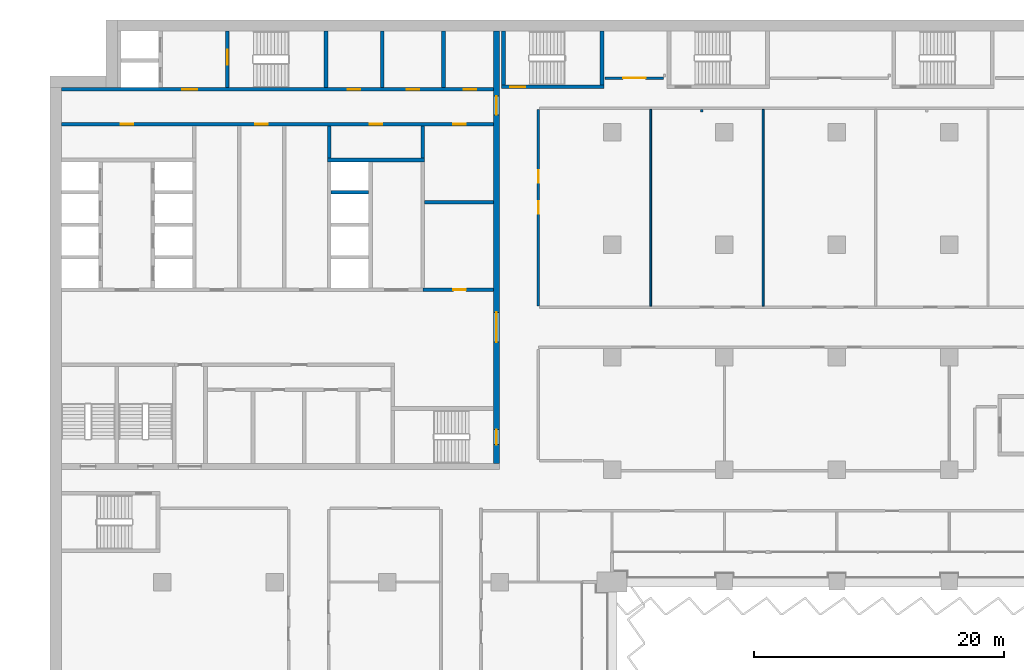
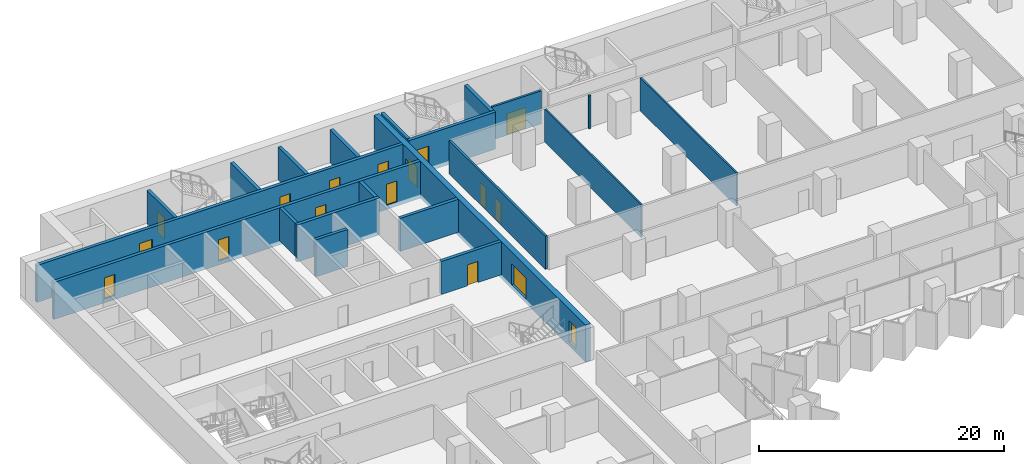
# One storey, part 15 of 29: 21 walls, 17 doors, 17 openings.
"""IFC4 building model written with IfcOpenShell, lengths in metres."""

from ifc_helpers import new_model, si_unit, direction, frame, frame_2d, origin, place, context, subcontext, project, spatial, rectangle, extrude, material, layer, layer_set, type_object, element, fill, save


model = new_model("IFC4")

# Units and contexts
model_context = context("Model", 3, precision=1e-05, world=origin(), true_north=direction((0.0, 1.0)))
body_context = subcontext(model_context, "Body", "Model", "MODEL_VIEW")
ifc_project = project(units=[si_unit("LENGTHUNIT", "METRE"), si_unit("AREAUNIT", "SQUARE_METRE"), si_unit("VOLUMEUNIT", "CUBIC_METRE"), si_unit("PLANEANGLEUNIT", "RADIAN"), si_unit("MASSUNIT", "GRAM", prefix="KILO")], contexts=[model_context])

# Site, building, storey
site_placement = place(None, origin())
site = spatial("IfcSite", under=ifc_project, at=site_placement, CompositionType="ELEMENT")
building_placement = place(site_placement, origin())
building = spatial("IfcBuilding", under=site, at=building_placement, Name="Hunhe Ridgeline Campus", CompositionType="ELEMENT")
storey_placement = place(building_placement, frame((0.0, 0.0, 50.60009765625)))
storey = spatial("IfcBuildingStorey", under=building, at=storey_placement, Name="L11", CompositionType="ELEMENT", Elevation=50.60009765625)

# Wall, opening, door
ifc_material_1 = material(Name="Masonry concrete blockwork", Category="masonry")
ifc_layer_1 = layer(ifc_material_1, 0.300048828125)
ifc_layer_set_1 = layer_set([ifc_layer_1], Name="Core room partition 300 concrete block")
wall_type_1 = type_object("IfcWallType", Name="Core room partition 300 concrete block", PredefinedType="PARTITIONING", material=ifc_layer_set_1)
wall_1_placement = place(storey_placement, frame((29.85009765625, 77.39990234375, 0.0), z_axis=(0.0, 0.0, 1.0), x_axis=(1.0, 0.0, 0.0)))
wall_1 = element("IfcWall", 1, at=wall_1_placement, inside=storey, type_object=wall_type_1, Name="L11 core partition 15", PredefinedType="PARTITIONING", context=body_context, shape_type="SweptSolid", body=[
    extrude(rectangle(XDim=5.64990234375, YDim=0.300048828125, at=frame_2d((2.824951171875, 0.0))), origin(), (0.0, 0.0, 1.0), 3.2998046875),
])
opening_1_placement = place(wall_1_placement, frame((2.449951171875, 0.0, 0.0)))
opening_1 = element("IfcOpeningElement", 2, at=opening_1_placement, cuts=wall_1, Name="Opening CD32", PredefinedType="OPENING", context=body_context, shape_type="SweptSolid", body=[
    extrude(rectangle(XDim=1.0, YDim=2.10009765625, at=frame_2d((0.5, 1.050048828125))), frame((0.0, 0.14990234375, 0.0), z_axis=(0.0, -1.0, 0.0), x_axis=(1.0, 0.0, 0.0)), (0.0, 0.0, 1.0), 0.300048828125),
])
ifc_material_2 = material(Name="Solid core timber door leaf", Category="wood")
door_type_1 = type_object("IfcDoorType", Name="Timber door 1000x2100", OperationType="SINGLE_SWING_LEFT", PredefinedType="DOOR", material=ifc_material_2)
door_1_placement = place(opening_1_placement, origin())
door_1 = element("IfcDoor", 3, at=door_1_placement, inside=storey, type_object=door_type_1, Name="L11 door ES0", OperationType="SINGLE_SWING_LEFT", OverallHeight=2.10009765625, OverallWidth=1.0, PredefinedType="DOOR", context=body_context, shape_type="SweptSolid", body=[
    extrude(rectangle(XDim=1.0, YDim=2.10009765625, at=frame_2d((0.5, 1.050048828125))), frame((0.0, 0.02490234375, 0.0), z_axis=(0.0, -1.0, 0.0), x_axis=(1.0, 0.0, 0.0)), (0.0, 0.0, 1.0), 0.050048828125),
])
fill(opening_1, door_1)

# Walls
wall_2_placement = place(storey_placement, frame((30.0, 84.39990234375, 0.0), z_axis=(0.0, 0.0, 1.0), x_axis=(1.0, 0.0, 0.0)))
element("IfcWall", 4, at=wall_2_placement, inside=storey, type_object=wall_type_1, Name="L11 core partition 22", PredefinedType="PARTITIONING", context=body_context, shape_type="SweptSolid", body=[
    extrude(rectangle(XDim=5.5, YDim=0.300048828125, at=frame_2d((2.75, 0.0))), origin(), (0.0, 0.0, 1.0), 3.2998046875),
])
wall_3_placement = place(storey_placement, frame((22.35009765625, 87.949951171875, 0.0), z_axis=(0.0, 0.0, 1.0), x_axis=(0.0, 1.0, 0.0)))
element("IfcWall", 5, at=wall_3_placement, inside=storey, type_object=wall_type_1, Name="L11 core partition 54", PredefinedType="PARTITIONING", context=body_context, shape_type="SweptSolid", body=[
    extrude(rectangle(XDim=2.550048828125, YDim=0.300048828125, at=frame_2d((1.27490234375, 0.0))), origin(), (0.0, 0.0, 1.0), 3.2998046875),
])
wall_4_placement = place(storey_placement, frame((26.60009765625, 93.60009765625, 0.0), z_axis=(0.0, 0.0, 1.0), x_axis=(0.0, 1.0, 0.0)))
element("IfcWall", 6, at=wall_4_placement, inside=storey, type_object=wall_type_1, Name="L11 core partition 58", PredefinedType="PARTITIONING", context=body_context, shape_type="SweptSolid", body=[
    extrude(rectangle(XDim=4.5, YDim=0.300048828125, at=frame_2d((2.25, 0.0))), origin(), (0.0, 0.0, 1.0), 3.2998046875),
])
wall_5_placement = place(storey_placement, frame((29.85009765625, 87.949951171875, 0.0), z_axis=(0.0, 0.0, 1.0), x_axis=(0.0, 1.0, 0.0)))
element("IfcWall", 7, at=wall_5_placement, inside=storey, type_object=wall_type_1, Name="L11 core partition 62", PredefinedType="PARTITIONING", context=body_context, shape_type="SweptSolid", body=[
    extrude(rectangle(XDim=2.550048828125, YDim=0.300048828125, at=frame_2d((1.27490234375, 0.0))), origin(), (0.0, 0.0, 1.0), 3.2998046875),
])
wall_6_placement = place(storey_placement, frame((31.5, 93.60009765625, 0.0), z_axis=(0.0, 0.0, 1.0), x_axis=(0.0, 1.0, 0.0)))
element("IfcWall", 8, at=wall_6_placement, inside=storey, type_object=wall_type_1, Name="L11 core partition 63", PredefinedType="PARTITIONING", context=body_context, shape_type="SweptSolid", body=[
    extrude(rectangle(XDim=4.5, YDim=0.300048828125, at=frame_2d((2.25, 0.0))), origin(), (0.0, 0.0, 1.0), 3.2998046875),
])

# Wall, openings, doors
ifc_material_3 = material(Name="Concrete C80", Category="concrete")
ifc_layer_2 = layer(ifc_material_3, 0.5)
ifc_layer_set_2 = layer_set([ifc_layer_2], Name="Core wall 500 reinforced concrete C80")
wall_type_2 = type_object("IfcWallType", Name="Core wall 500 reinforced concrete C80", PredefinedType="SOLIDWALL", material=ifc_layer_set_2)
wall_7_placement = place(storey_placement, frame((35.75, 63.5, -0.400146484375), z_axis=(0.0, 0.0, 1.0), x_axis=(0.0, 1.0, 0.0)))
wall_7 = element("IfcWall", 9, at=wall_7_placement, inside=storey, type_object=wall_type_2, Name="L11 core wall 64", PredefinedType="SOLIDWALL", context=body_context, shape_type="SweptSolid", body=[
    extrude(rectangle(XDim=34.60009765625, YDim=0.5, at=frame_2d((17.300048828125, 0.0))), origin(), (0.0, 0.0, 1.0), 3.699951171875),
])
opening_2_placement = place(wall_7_placement, frame((9.699951171875, 0.0, 0.39990234375)))
opening_2 = element("IfcOpeningElement", 10, at=opening_2_placement, cuts=wall_7, Name="Opening CD4", PredefinedType="OPENING", context=body_context, shape_type="SweptSolid", body=[
    extrude(rectangle(XDim=2.39990234375, YDim=2.10009765625, at=frame_2d((1.199951171875, 1.050048828125))), frame((0.0, 0.25, 0.0), z_axis=(0.0, -1.0, 0.0), x_axis=(1.0, 0.0, 0.0)), (0.0, 0.0, 1.0), 0.5),
])
opening_3_placement = place(wall_7_placement, frame((27.89990234375, 0.0, 0.39990234375)))
opening_3 = element("IfcOpeningElement", 11, at=opening_3_placement, cuts=wall_7, Name="Opening CD5", PredefinedType="OPENING", context=body_context, shape_type="SweptSolid", body=[
    extrude(rectangle(XDim=1.5, YDim=2.10009765625, at=frame_2d((0.75, 1.050048828125))), frame((0.0, 0.25, 0.0), z_axis=(0.0, -1.0, 0.0), x_axis=(1.0, 0.0, 0.0)), (0.0, 0.0, 1.0), 0.5),
])
opening_4_placement = place(wall_7_placement, frame((1.5, 0.0, 0.39990234375)))
opening_4 = element("IfcOpeningElement", 12, at=opening_4_placement, cuts=wall_7, Name="Opening CD15", PredefinedType="OPENING", context=body_context, shape_type="SweptSolid", body=[
    extrude(rectangle(XDim=1.199951171875, YDim=2.10009765625, at=frame_2d((0.60009765625, 1.050048828125))), frame((0.0, 0.25, 0.0), z_axis=(0.0, -1.0, 0.0), x_axis=(1.0, 0.0, 0.0)), (0.0, 0.0, 1.0), 0.5),
])
ifc_material_4 = material(Name="Anodised aluminium and glass", Category="aluminium")
door_type_2 = type_object("IfcDoorType", Name="Glazed double door 2400x2100", OperationType="DOUBLE_DOOR_SINGLE_SWING", PredefinedType="DOOR", material=ifc_material_4)
door_2_placement = place(opening_2_placement, frame((2.39990234375, 0.0, 0.0), z_axis=(0.0, 0.0, 1.0), x_axis=(-1.0, 0.0, 0.0)))
door_2 = element("IfcDoor", 13, at=door_2_placement, inside=storey, type_object=door_type_2, Name="L11 door HALL-FLOOR", OperationType="DOUBLE_DOOR_SINGLE_SWING", OverallHeight=2.10009765625, OverallWidth=2.39990234375, PredefinedType="DOOR", context=body_context, shape_type="SweptSolid", body=[
    extrude(rectangle(XDim=2.39990234375, YDim=2.10009765625, at=frame_2d((1.199951171875, 1.050048828125))), frame((0.0, 0.02490234375, 0.0), z_axis=(0.0, -1.0, 0.0), x_axis=(1.0, 0.0, 0.0)), (0.0, 0.0, 1.0), 0.050048828125),
])
fill(opening_2, door_2)
ifc_material_5 = material(Name="Hollow metal fire door leaf")
door_type_3 = type_object("IfcDoorType", Name="Stair door 1200x2100 FD60", OperationType="SINGLE_SWING_LEFT", PredefinedType="DOOR", material=ifc_material_5)
door_3_placement = place(opening_4_placement, frame((1.199951171875, 0.0, 0.0), z_axis=(0.0, 0.0, 1.0), x_axis=(-1.0, 0.0, 0.0)))
door_3 = element("IfcDoor", 14, at=door_3_placement, inside=storey, type_object=door_type_3, Name="L11 door S2-FLOOR", OperationType="SINGLE_SWING_RIGHT", OverallHeight=2.10009765625, OverallWidth=1.199951171875, PredefinedType="DOOR", context=body_context, shape_type="SweptSolid", body=[
    extrude(rectangle(XDim=1.199951171875, YDim=2.10009765625, at=frame_2d((0.60009765625, 1.050048828125))), frame((0.0, 0.02490234375, 0.0), z_axis=(0.0, -1.0, 0.0), x_axis=(1.0, 0.0, 0.0)), (0.0, 0.0, 1.0), 0.050048828125),
])
fill(opening_4, door_3)
door_type_4 = type_object("IfcDoorType", Name="Timber door 1500x2100", OperationType="SINGLE_SWING_LEFT", PredefinedType="DOOR", material=ifc_material_2)
door_4_placement = place(opening_3_placement, frame((1.5, 0.0, 0.0), z_axis=(0.0, 0.0, 1.0), x_axis=(-1.0, 0.0, 0.0)))
door_4 = element("IfcDoor", 15, at=door_4_placement, inside=storey, type_object=door_type_4, Name="L11 door C1-FLOOR", OperationType="SINGLE_SWING_RIGHT", OverallHeight=2.10009765625, OverallWidth=1.5, PredefinedType="DOOR", context=body_context, shape_type="SweptSolid", body=[
    extrude(rectangle(XDim=1.5, YDim=2.10009765625, at=frame_2d((0.75, 1.050048828125))), frame((0.0, 0.02490234375, 0.0), z_axis=(0.0, -1.0, 0.0), x_axis=(1.0, 0.0, 0.0)), (0.0, 0.0, 1.0), 0.050048828125),
])
fill(opening_3, door_4)

# Wall, opening, door
ifc_material_6 = material(Name="Gypsum board partition")
ifc_layer_3 = layer(ifc_material_6, 0.199951171875)
ifc_layer_set_3 = layer_set([ifc_layer_3], Name="Corridor partition 200 gypsum board on steel studs")
wall_type_3 = type_object("IfcWallType", Name="Corridor partition 200 gypsum board on steel studs", PredefinedType="PARTITIONING", material=ifc_layer_set_3)
wall_8_placement = place(storey_placement, frame((44.4541015625, 94.35009765625, 0.0), z_axis=(0.0, 0.0, 1.0), x_axis=(1.0, 0.0, 0.0)))
wall_8 = element("IfcWall", 16, at=wall_8_placement, inside=storey, type_object=wall_type_3, Name="F-L11-wall-052", PredefinedType="PARTITIONING", context=body_context, shape_type="SweptSolid", body=[
    extrude(rectangle(XDim=4.6708984375, YDim=0.199951171875, at=frame_2d((2.33544921875, 0.0))), origin(), (0.0, 0.0, 1.0), 3.2998046875),
])
opening_5_placement = place(wall_8_placement, frame((1.435546875, 0.0, 0.0)))
opening_5 = element("IfcOpeningElement", 17, at=opening_5_placement, cuts=wall_8, Name="Opening RD2-047", PredefinedType="OPENING", context=body_context, shape_type="SweptSolid", body=[
    extrude(rectangle(XDim=1.800048828125, YDim=2.10009765625, at=frame_2d((0.89990234375, 1.050048828125))), frame((0.0, 0.10009765625, 0.0), z_axis=(0.0, -1.0, 0.0), x_axis=(1.0, 0.0, 0.0)), (0.0, 0.0, 1.0), 0.199951171875),
])
ifc_material_7 = material(Name="Timber door leaf", Category="wood")
door_type_5 = type_object("IfcDoorType", Name="Double fire door 1800x2100 timber FD60", OperationType="DOUBLE_DOOR_SINGLE_SWING", PredefinedType="DOOR", material=ifc_material_7)
door_5_placement = place(opening_5_placement, origin())
door_5 = element("IfcDoor", 18, at=door_5_placement, inside=storey, type_object=door_type_5, Name="F-L11-door-047", OperationType="DOUBLE_DOOR_SINGLE_SWING", OverallHeight=2.10009765625, OverallWidth=1.800048828125, PredefinedType="DOOR", context=body_context, shape_type="SweptSolid", body=[
    extrude(rectangle(XDim=1.800048828125, YDim=2.10009765625, at=frame_2d((0.89990234375, 1.050048828125))), frame((0.0, 0.02490234375, 0.0), z_axis=(0.0, -1.0, 0.0), x_axis=(1.0, 0.0, 0.0)), (0.0, 0.0, 1.0), 0.050048828125),
])
fill(opening_5, door_5)

# Wall, openings, doors
wall_9_placement = place(storey_placement, frame((39.10009765625, 91.85009765625, 0.0), z_axis=(0.0, 0.0, 1.0), x_axis=(0.0, -1.0, 0.0)))
wall_9 = element("IfcWall", 19, at=wall_9_placement, inside=storey, type_object=wall_type_3, Name="F-L11-wall-070", PredefinedType="PARTITIONING", context=body_context, shape_type="SweptSolid", body=[
    extrude(rectangle(XDim=15.75, YDim=0.199951171875, at=frame_2d((7.875, 0.0))), origin(), (0.0, 0.0, 1.0), 3.2998046875),
])
opening_6_placement = place(wall_9_placement, frame((7.375, 0.0, 0.0)))
opening_6 = element("IfcOpeningElement", 20, at=opening_6_placement, cuts=wall_9, Name="Opening RD1-045", PredefinedType="OPENING", context=body_context, shape_type="SweptSolid", body=[
    extrude(rectangle(XDim=1.0, YDim=2.10009765625, at=frame_2d((0.5, 1.050048828125))), frame((0.0, 0.10009765625, 0.0), z_axis=(0.0, -1.0, 0.0), x_axis=(1.0, 0.0, 0.0)), (0.0, 0.0, 1.0), 0.199951171875),
])
opening_7_placement = place(wall_9_placement, frame((4.875, 0.0, 0.0)))
opening_7 = element("IfcOpeningElement", 21, at=opening_7_placement, cuts=wall_9, Name="Opening RD1-046", PredefinedType="OPENING", context=body_context, shape_type="SweptSolid", body=[
    extrude(rectangle(XDim=1.0, YDim=2.10009765625, at=frame_2d((0.5, 1.050048828125))), frame((0.0, 0.10009765625, 0.0), z_axis=(0.0, -1.0, 0.0), x_axis=(1.0, 0.0, 0.0)), (0.0, 0.0, 1.0), 0.199951171875),
])
door_type_6 = type_object("IfcDoorType", Name="Single fire door 1000x2100 timber FD60", OperationType="NOTDEFINED", PredefinedType="DOOR", material=ifc_material_7)
door_6_placement = place(opening_6_placement, frame((1.0, 0.0, 0.0), z_axis=(0.0, 0.0, 1.0), x_axis=(-1.0, 0.0, 0.0)))
door_6 = element("IfcDoor", 22, at=door_6_placement, inside=storey, type_object=door_type_6, Name="F-L11-door-045", OperationType="SINGLE_SWING_LEFT", OverallHeight=2.10009765625, OverallWidth=1.0, PredefinedType="DOOR", context=body_context, shape_type="SweptSolid", body=[
    extrude(rectangle(XDim=1.0, YDim=2.10009765625, at=frame_2d((0.5, 1.050048828125))), frame((0.0, 0.02490234375, 0.0), z_axis=(0.0, -1.0, 0.0), x_axis=(1.0, 0.0, 0.0)), (0.0, 0.0, 1.0), 0.050048828125),
])
fill(opening_6, door_6)
door_7_placement = place(opening_7_placement, frame((1.0, 0.0, 0.0), z_axis=(0.0, 0.0, 1.0), x_axis=(-1.0, 0.0, 0.0)))
door_7 = element("IfcDoor", 23, at=door_7_placement, inside=storey, type_object=door_type_6, Name="F-L11-door-046", OperationType="SINGLE_SWING_RIGHT", OverallHeight=2.10009765625, OverallWidth=1.0, PredefinedType="DOOR", context=body_context, shape_type="SweptSolid", body=[
    extrude(rectangle(XDim=1.0, YDim=2.10009765625, at=frame_2d((0.5, 1.050048828125))), frame((0.0, 0.02490234375, 0.0), z_axis=(0.0, -1.0, 0.0), x_axis=(1.0, 0.0, 0.0)), (0.0, 0.0, 1.0), 0.050048828125),
])
fill(opening_7, door_7)

# Wall
wall_10_placement = place(storey_placement, frame((52.199951171875, 91.85009765625, 0.0), z_axis=(0.0, 0.0, 1.0), x_axis=(0.0, -1.0, 0.0)))
element("IfcWall", 24, at=wall_10_placement, inside=storey, type_object=wall_type_3, Name="F-L11-wall-074", PredefinedType="PARTITIONING", context=body_context, shape_type="SweptSolid", body=[
    extrude(rectangle(XDim=0.2001953125, YDim=0.199951171875, at=frame_2d((0.10009765625, 0.0))), origin(), (0.0, 0.0, 1.0), 3.2998046875),
])

# Wall, openings, doors
ifc_layer_4 = layer(ifc_material_3, 0.300048828125)
ifc_layer_set_4 = layer_set([ifc_layer_4], Name="Lobby wall 300 reinforced concrete C80")
wall_type_4 = type_object("IfcWallType", Name="Lobby wall 300 reinforced concrete C80", PredefinedType="SOLIDWALL", material=ifc_layer_set_4)
wall_11_placement = place(storey_placement, frame((0.89990234375, 90.64990234375, -0.400146484375), z_axis=(0.0, 0.0, 1.0), x_axis=(1.0, 0.0, 0.0)))
wall_11 = element("IfcWall", 25, at=wall_11_placement, inside=storey, type_object=wall_type_4, Name="L11 core wall 28", PredefinedType="SOLIDWALL", context=body_context, shape_type="SweptSolid", body=[
    extrude(rectangle(XDim=34.60009765625, YDim=0.300048828125, at=frame_2d((17.300048828125, 0.0))), origin(), (0.0, 0.0, 1.0), 3.699951171875),
])
opening_8_placement = place(wall_11_placement, frame((4.75, 0.0, 0.39990234375)))
opening_8 = element("IfcOpeningElement", 26, at=opening_8_placement, cuts=wall_11, Name="Opening CD26", PredefinedType="OPENING", context=body_context, shape_type="SweptSolid", body=[
    extrude(rectangle(XDim=1.0, YDim=2.10009765625, at=frame_2d((0.5, 1.050048828125))), frame((0.0, 0.14990234375, 0.0), z_axis=(0.0, -1.0, 0.0), x_axis=(1.0, 0.0, 0.0)), (0.0, 0.0, 1.0), 0.300048828125),
])
opening_9_placement = place(wall_11_placement, frame((24.699951171875, 0.0, 0.39990234375)))
opening_9 = element("IfcOpeningElement", 27, at=opening_9_placement, cuts=wall_11, Name="Opening CD27", PredefinedType="OPENING", context=body_context, shape_type="SweptSolid", body=[
    extrude(rectangle(XDim=1.0, YDim=2.10009765625, at=frame_2d((0.5, 1.050048828125))), frame((0.0, 0.14990234375, 0.0), z_axis=(0.0, -1.0, 0.0), x_axis=(1.0, 0.0, 0.0)), (0.0, 0.0, 1.0), 0.300048828125),
])
opening_10_placement = place(wall_11_placement, frame((15.550048828125, 0.0, 0.39990234375)))
opening_10 = element("IfcOpeningElement", 28, at=opening_10_placement, cuts=wall_11, Name="Opening CD29", PredefinedType="OPENING", context=body_context, shape_type="SweptSolid", body=[
    extrude(rectangle(XDim=1.0, YDim=2.10009765625, at=frame_2d((0.5, 1.050048828125))), frame((0.0, 0.14990234375, 0.0), z_axis=(0.0, -1.0, 0.0), x_axis=(1.0, 0.0, 0.0)), (0.0, 0.0, 1.0), 0.300048828125),
])
opening_11_placement = place(wall_11_placement, frame((31.39990234375, 0.0, 0.39990234375)))
opening_11 = element("IfcOpeningElement", 29, at=opening_11_placement, cuts=wall_11, Name="Opening CD33", PredefinedType="OPENING", context=body_context, shape_type="SweptSolid", body=[
    extrude(rectangle(XDim=1.0, YDim=2.10009765625, at=frame_2d((0.5, 1.050048828125))), frame((0.0, 0.14990234375, 0.0), z_axis=(0.0, -1.0, 0.0), x_axis=(1.0, 0.0, 0.0)), (0.0, 0.0, 1.0), 0.300048828125),
])
door_8_placement = place(opening_8_placement, frame((1.0, 0.0, 0.0), z_axis=(0.0, 0.0, 1.0), x_axis=(-1.0, 0.0, 0.0)))
door_8 = element("IfcDoor", 30, at=door_8_placement, inside=storey, type_object=door_type_1, Name="L11 door NR-0", OperationType="SINGLE_SWING_RIGHT", OverallHeight=2.10009765625, OverallWidth=1.0, PredefinedType="DOOR", context=body_context, shape_type="SweptSolid", body=[
    extrude(rectangle(XDim=1.0, YDim=2.10009765625, at=frame_2d((0.5, 1.050048828125))), frame((0.0, 0.02490234375, 0.0), z_axis=(0.0, -1.0, 0.0), x_axis=(1.0, 0.0, 0.0)), (0.0, 0.0, 1.0), 0.050048828125),
])
fill(opening_8, door_8)
door_9_placement = place(opening_9_placement, frame((1.0, 0.0, 0.0), z_axis=(0.0, 0.0, 1.0), x_axis=(-1.0, 0.0, 0.0)))
door_9 = element("IfcDoor", 31, at=door_9_placement, inside=storey, type_object=door_type_1, Name="L11 door NR-1", OperationType="SINGLE_SWING_LEFT", OverallHeight=2.10009765625, OverallWidth=1.0, PredefinedType="DOOR", context=body_context, shape_type="SweptSolid", body=[
    extrude(rectangle(XDim=1.0, YDim=2.10009765625, at=frame_2d((0.5, 1.050048828125))), frame((0.0, 0.02490234375, 0.0), z_axis=(0.0, -1.0, 0.0), x_axis=(1.0, 0.0, 0.0)), (0.0, 0.0, 1.0), 0.050048828125),
])
fill(opening_9, door_9)
door_10_placement = place(opening_10_placement, frame((1.0, 0.0, 0.0), z_axis=(0.0, 0.0, 1.0), x_axis=(-1.0, 0.0, 0.0)))
door_10 = element("IfcDoor", 32, at=door_10_placement, inside=storey, type_object=door_type_1, Name="L11 door VD-HR1", OperationType="SINGLE_SWING_LEFT", OverallHeight=2.10009765625, OverallWidth=1.0, PredefinedType="DOOR", context=body_context, shape_type="SweptSolid", body=[
    extrude(rectangle(XDim=1.0, YDim=2.10009765625, at=frame_2d((0.5, 1.050048828125))), frame((0.0, 0.02490234375, 0.0), z_axis=(0.0, -1.0, 0.0), x_axis=(1.0, 0.0, 0.0)), (0.0, 0.0, 1.0), 0.050048828125),
])
fill(opening_10, door_10)
door_11_placement = place(opening_11_placement, frame((1.0, 0.0, 0.0), z_axis=(0.0, 0.0, 1.0), x_axis=(-1.0, 0.0, 0.0)))
door_11 = element("IfcDoor", 33, at=door_11_placement, inside=storey, type_object=door_type_1, Name="L11 door ES1", OperationType="SINGLE_SWING_LEFT", OverallHeight=2.10009765625, OverallWidth=1.0, PredefinedType="DOOR", context=body_context, shape_type="SweptSolid", body=[
    extrude(rectangle(XDim=1.0, YDim=2.10009765625, at=frame_2d((0.5, 1.050048828125))), frame((0.0, 0.02490234375, 0.0), z_axis=(0.0, -1.0, 0.0), x_axis=(1.0, 0.0, 0.0)), (0.0, 0.0, 1.0), 0.050048828125),
])
fill(opening_11, door_11)

# Walls
ifc_layer_5 = layer(ifc_material_6, 0.14990234375)
ifc_layer_set_5 = layer_set([ifc_layer_5], Name="Room partition 150 gypsum board on steel studs")
wall_type_5 = type_object("IfcWallType", Name="Room partition 150 gypsum board on steel studs", PredefinedType="PARTITIONING", material=ifc_layer_set_5)
for number, where, z_axis, x_axis, name in (
    (34, (48.10009765625, 91.85009765625, 0.0), (0.0, 0.0, 1.0), (0.0, -1.0, 0.0), "F-L11-wall-072"),
    (35, (57.10009765625, 91.85009765625, 0.0), (0.0, 0.0, 1.0), (0.0, -1.0, 0.0), "F-L11-wall-077"),
):
    element("IfcWall", number, at=place(storey_placement, frame(where, z_axis=z_axis, x_axis=x_axis)), inside=storey, type_object=wall_type_5, Name=name, PredefinedType="PARTITIONING", context=body_context, shape_type="SweptSolid", body=[
        extrude(rectangle(XDim=15.75, YDim=0.14990234375, at=frame_2d((7.875, 0.0))), origin(), (0.0, 0.0, 1.0), 3.2998046875),
    ])
ifc_layer_6 = layer(ifc_material_3, 0.300048828125)
ifc_layer_set_6 = layer_set([ifc_layer_6], Name="Shaft wall 300 reinforced concrete C80")
wall_type_6 = type_object("IfcWallType", Name="Shaft wall 300 reinforced concrete C80", PredefinedType="SOLIDWALL", material=ifc_layer_set_6)
wall_12_placement = place(storey_placement, frame((22.5, 85.199951171875, -0.400146484375), z_axis=(0.0, 0.0, 1.0), x_axis=(1.0, 0.0, 0.0)))
element("IfcWall", 36, at=wall_12_placement, inside=storey, type_object=wall_type_6, Name="L11 core wall 25", PredefinedType="SOLIDWALL", context=body_context, shape_type="SweptSolid", body=[
    extrude(rectangle(XDim=3.0, YDim=0.300048828125, at=frame_2d((1.5, 0.0))), origin(), (0.0, 0.0, 1.0), 3.699951171875),
])
wall_13_placement = place(storey_placement, frame((22.199951171875, 87.800048828125, -0.400146484375), z_axis=(0.0, 0.0, 1.0), x_axis=(1.0, 0.0, 0.0)))
element("IfcWall", 37, at=wall_13_placement, inside=storey, type_object=wall_type_6, Name="L11 core wall 27", PredefinedType="SOLIDWALL", context=body_context, shape_type="SweptSolid", body=[
    extrude(rectangle(XDim=7.800048828125, YDim=0.300048828125, at=frame_2d((3.89990234375, 0.0))), origin(), (0.0, 0.0, 1.0), 3.699951171875),
])

# Wall, openings, doors
wall_14_placement = place(storey_placement, frame((0.89990234375, 93.449951171875, -0.400146484375), z_axis=(0.0, 0.0, 1.0), x_axis=(1.0, 0.0, 0.0)))
wall_14 = element("IfcWall", 38, at=wall_14_placement, inside=storey, type_object=wall_type_6, Name="L11 core wall 29", PredefinedType="SOLIDWALL", context=body_context, shape_type="SweptSolid", body=[
    extrude(rectangle(XDim=34.60009765625, YDim=0.300048828125, at=frame_2d((17.300048828125, 0.0))), origin(), (0.0, 0.0, 1.0), 3.699951171875),
])
opening_12_placement = place(wall_14_placement, frame((9.699951171875, 0.0, 0.39990234375)))
opening_12 = element("IfcOpeningElement", 39, at=opening_12_placement, cuts=wall_14, Name="Opening CD3", PredefinedType="OPENING", context=body_context, shape_type="SweptSolid", body=[
    extrude(rectangle(XDim=1.199951171875, YDim=2.10009765625, at=frame_2d((0.60009765625, 1.050048828125))), frame((0.0, 0.14990234375, 0.0), z_axis=(0.0, -1.0, 0.0), x_axis=(1.0, 0.0, 0.0)), (0.0, 0.0, 1.0), 0.300048828125),
])
opening_13_placement = place(wall_14_placement, frame((22.949951171875, 0.0, 0.39990234375)))
opening_13 = element("IfcOpeningElement", 40, at=opening_13_placement, cuts=wall_14, Name="Opening CD34", PredefinedType="OPENING", context=body_context, shape_type="SweptSolid", body=[
    extrude(rectangle(XDim=1.0, YDim=2.10009765625, at=frame_2d((0.5, 1.050048828125))), frame((0.0, 0.14990234375, 0.0), z_axis=(0.0, -1.0, 0.0), x_axis=(1.0, 0.0, 0.0)), (0.0, 0.0, 1.0), 0.300048828125),
])
opening_14_placement = place(wall_14_placement, frame((27.64990234375, 0.0, 0.39990234375)))
opening_14 = element("IfcOpeningElement", 41, at=opening_14_placement, cuts=wall_14, Name="Opening CD35", PredefinedType="OPENING", context=body_context, shape_type="SweptSolid", body=[
    extrude(rectangle(XDim=1.0, YDim=2.10009765625, at=frame_2d((0.5, 1.050048828125))), frame((0.0, 0.14990234375, 0.0), z_axis=(0.0, -1.0, 0.0), x_axis=(1.0, 0.0, 0.0)), (0.0, 0.0, 1.0), 0.300048828125),
])
opening_15_placement = place(wall_14_placement, frame((32.22509765625, 0.0, 0.39990234375)))
opening_15 = element("IfcOpeningElement", 42, at=opening_15_placement, cuts=wall_14, Name="Opening CD36", PredefinedType="OPENING", context=body_context, shape_type="SweptSolid", body=[
    extrude(rectangle(XDim=1.0, YDim=2.10009765625, at=frame_2d((0.5, 1.050048828125))), frame((0.0, 0.14990234375, 0.0), z_axis=(0.0, -1.0, 0.0), x_axis=(1.0, 0.0, 0.0)), (0.0, 0.0, 1.0), 0.300048828125),
])
door_type_7 = type_object("IfcDoorType", Name="Lobby door 1200x2100 FD60", OperationType="SINGLE_SWING_LEFT", PredefinedType="DOOR", material=ifc_material_5)
door_12_placement = place(opening_12_placement, frame((1.199951171875, 0.0, 0.0), z_axis=(0.0, 0.0, 1.0), x_axis=(-1.0, 0.0, 0.0)))
door_12 = element("IfcDoor", 43, at=door_12_placement, inside=storey, type_object=door_type_7, Name="L11 door FF-C1", OperationType="SINGLE_SWING_LEFT", OverallHeight=2.10009765625, OverallWidth=1.199951171875, PredefinedType="DOOR", context=body_context, shape_type="SweptSolid", body=[
    extrude(rectangle(XDim=1.199951171875, YDim=2.10009765625, at=frame_2d((0.60009765625, 1.050048828125))), frame((0.0, 0.02490234375, 0.0), z_axis=(0.0, -1.0, 0.0), x_axis=(1.0, 0.0, 0.0)), (0.0, 0.0, 1.0), 0.050048828125),
])
fill(opening_12, door_12)
door_13_placement = place(opening_13_placement, origin())
door_13 = element("IfcDoor", 44, at=door_13_placement, inside=storey, type_object=door_type_1, Name="L11 door NB0", OperationType="SINGLE_SWING_LEFT", OverallHeight=2.10009765625, OverallWidth=1.0, PredefinedType="DOOR", context=body_context, shape_type="SweptSolid", body=[
    extrude(rectangle(XDim=1.0, YDim=2.10009765625, at=frame_2d((0.5, 1.050048828125))), frame((0.0, 0.02490234375, 0.0), z_axis=(0.0, -1.0, 0.0), x_axis=(1.0, 0.0, 0.0)), (0.0, 0.0, 1.0), 0.050048828125),
])
fill(opening_13, door_13)
door_14_placement = place(opening_14_placement, origin())
door_14 = element("IfcDoor", 45, at=door_14_placement, inside=storey, type_object=door_type_1, Name="L11 door NB1", OperationType="SINGLE_SWING_RIGHT", OverallHeight=2.10009765625, OverallWidth=1.0, PredefinedType="DOOR", context=body_context, shape_type="SweptSolid", body=[
    extrude(rectangle(XDim=1.0, YDim=2.10009765625, at=frame_2d((0.5, 1.050048828125))), frame((0.0, 0.02490234375, 0.0), z_axis=(0.0, -1.0, 0.0), x_axis=(1.0, 0.0, 0.0)), (0.0, 0.0, 1.0), 0.050048828125),
])
fill(opening_14, door_14)
door_15_placement = place(opening_15_placement, origin())
door_15 = element("IfcDoor", 46, at=door_15_placement, inside=storey, type_object=door_type_1, Name="L11 door NB2", OperationType="SINGLE_SWING_LEFT", OverallHeight=2.10009765625, OverallWidth=1.0, PredefinedType="DOOR", context=body_context, shape_type="SweptSolid", body=[
    extrude(rectangle(XDim=1.0, YDim=2.10009765625, at=frame_2d((0.5, 1.050048828125))), frame((0.0, 0.02490234375, 0.0), z_axis=(0.0, -1.0, 0.0), x_axis=(1.0, 0.0, 0.0)), (0.0, 0.0, 1.0), 0.050048828125),
])
fill(opening_15, door_15)

# Wall, opening, door
ifc_layer_7 = layer(ifc_material_3, 0.300048828125)
ifc_layer_set_7 = layer_set([ifc_layer_7], Name="Stair wall 300 reinforced concrete C80")
wall_type_7 = type_object("IfcWallType", Name="Stair wall 300 reinforced concrete C80", PredefinedType="SOLIDWALL", material=ifc_layer_set_7)
wall_15_placement = place(storey_placement, frame((36.14990234375, 93.64990234375, -0.400146484375), z_axis=(0.0, 0.0, 1.0), x_axis=(1.0, 0.0, 0.0)))
wall_15 = element("IfcWall", 47, at=wall_15_placement, inside=storey, type_object=wall_type_7, Name="L11 core wall 30", PredefinedType="SOLIDWALL", context=body_context, shape_type="SweptSolid", body=[
    extrude(rectangle(XDim=8.2001953125, YDim=0.300048828125, at=frame_2d((4.10009765625, 0.0))), origin(), (0.0, 0.0, 1.0), 3.699951171875),
])
opening_16_placement = place(wall_15_placement, frame((0.699951171875, 0.0, 0.39990234375)))
opening_16 = element("IfcOpeningElement", 48, at=opening_16_placement, cuts=wall_15, Name="Opening CD17", PredefinedType="OPENING", context=body_context, shape_type="SweptSolid", body=[
    extrude(rectangle(XDim=1.199951171875, YDim=2.10009765625, at=frame_2d((0.60009765625, 1.050048828125))), frame((0.0, 0.14990234375, 0.0), z_axis=(0.0, -1.0, 0.0), x_axis=(1.0, 0.0, 0.0)), (0.0, 0.0, 1.0), 0.300048828125),
])
door_16_placement = place(opening_16_placement, frame((1.199951171875, 0.0, 0.0), z_axis=(0.0, 0.0, 1.0), x_axis=(-1.0, 0.0, 0.0)))
door_16 = element("IfcDoor", 49, at=door_16_placement, inside=storey, type_object=door_type_3, Name="L11 door E1", OperationType="SINGLE_SWING_RIGHT", OverallHeight=2.10009765625, OverallWidth=1.199951171875, PredefinedType="DOOR", context=body_context, shape_type="SweptSolid", body=[
    extrude(rectangle(XDim=1.199951171875, YDim=2.10009765625, at=frame_2d((0.60009765625, 1.050048828125))), frame((0.0, 0.02490234375, 0.0), z_axis=(0.0, -1.0, 0.0), x_axis=(1.0, 0.0, 0.0)), (0.0, 0.0, 1.0), 0.050048828125),
])
fill(opening_16, door_16)

wall_16_placement = place(storey_placement, frame((14.199951171875, 93.60009765625, -0.400146484375), z_axis=(0.0, 0.0, 1.0), x_axis=(0.0, 1.0, 0.0)))
wall_16 = element("IfcWall", 50, at=wall_16_placement, inside=storey, type_object=wall_type_7, Name="L11 core wall 46", PredefinedType="SOLIDWALL", context=body_context, shape_type="SweptSolid", body=[
    extrude(rectangle(XDim=4.5, YDim=0.300048828125, at=frame_2d((2.25, 0.0))), origin(), (0.0, 0.0, 1.0), 3.699951171875),
])
opening_17_placement = place(wall_16_placement, frame((1.800048828125, 0.0, 0.39990234375)))
opening_17 = element("IfcOpeningElement", 51, at=opening_17_placement, cuts=wall_16, Name="Opening CD16", PredefinedType="OPENING", context=body_context, shape_type="SweptSolid", body=[
    extrude(rectangle(XDim=1.199951171875, YDim=2.10009765625, at=frame_2d((0.60009765625, 1.050048828125))), frame((0.0, 0.14990234375, 0.0), z_axis=(0.0, -1.0, 0.0), x_axis=(1.0, 0.0, 0.0)), (0.0, 0.0, 1.0), 0.300048828125),
])
door_17_placement = place(opening_17_placement, origin())
door_17 = element("IfcDoor", 52, at=door_17_placement, inside=storey, type_object=door_type_3, Name="L11 door S1-FF", OperationType="SINGLE_SWING_LEFT", OverallHeight=2.10009765625, OverallWidth=1.199951171875, PredefinedType="DOOR", context=body_context, shape_type="SweptSolid", body=[
    extrude(rectangle(XDim=1.199951171875, YDim=2.10009765625, at=frame_2d((0.60009765625, 1.050048828125))), frame((0.0, 0.02490234375, 0.0), z_axis=(0.0, -1.0, 0.0), x_axis=(1.0, 0.0, 0.0)), (0.0, 0.0, 1.0), 0.050048828125),
])
fill(opening_17, door_17)

# Walls
wall_17_placement = place(storey_placement, frame((22.10009765625, 93.60009765625, -0.400146484375), z_axis=(0.0, 0.0, 1.0), x_axis=(0.0, 1.0, 0.0)))
element("IfcWall", 53, at=wall_17_placement, inside=storey, type_object=wall_type_7, Name="L11 core wall 52", PredefinedType="SOLIDWALL", context=body_context, shape_type="SweptSolid", body=[
    extrude(rectangle(XDim=4.5, YDim=0.300048828125, at=frame_2d((2.25, 0.0))), origin(), (0.0, 0.0, 1.0), 3.699951171875),
])
for number, where, z_axis, x_axis, name in (
    (54, (36.300048828125, 93.800048828125, -0.400146484375), (0.0, 0.0, 1.0), (0.0, 1.0, 0.0), "L11 core wall 65"),
    (55, (44.199951171875, 93.800048828125, -0.400146484375), (0.0, 0.0, 1.0), (0.0, 1.0, 0.0), "L11 core wall 66"),
):
    element("IfcWall", number, at=place(storey_placement, frame(where, z_axis=z_axis, x_axis=x_axis)), inside=storey, type_object=wall_type_7, Name=name, PredefinedType="SOLIDWALL", context=body_context, shape_type="SweptSolid", body=[
        extrude(rectangle(XDim=4.300048828125, YDim=0.300048828125, at=frame_2d((2.14990234375, 0.0))), origin(), (0.0, 0.0, 1.0), 3.699951171875),
    ])

save(model, "model.ifc")
